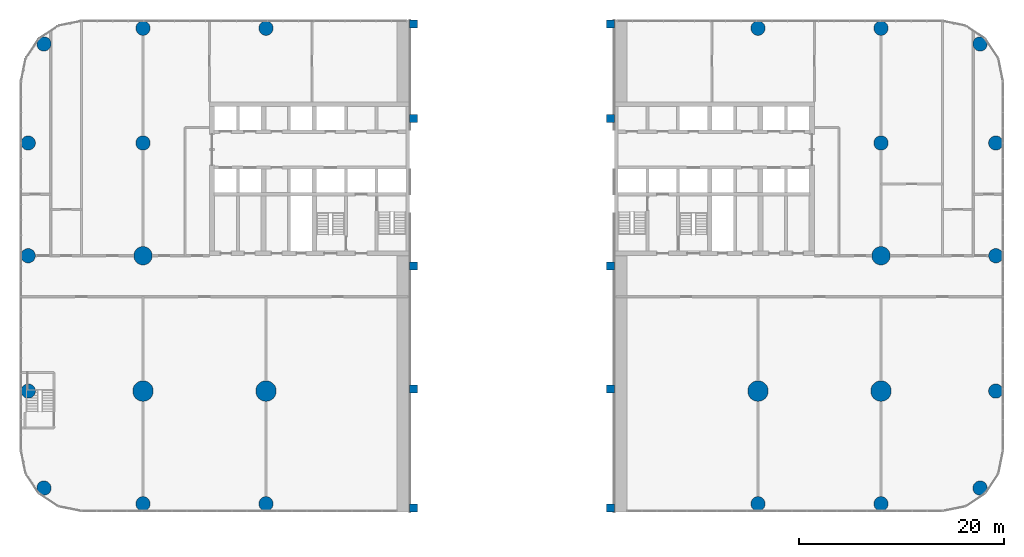
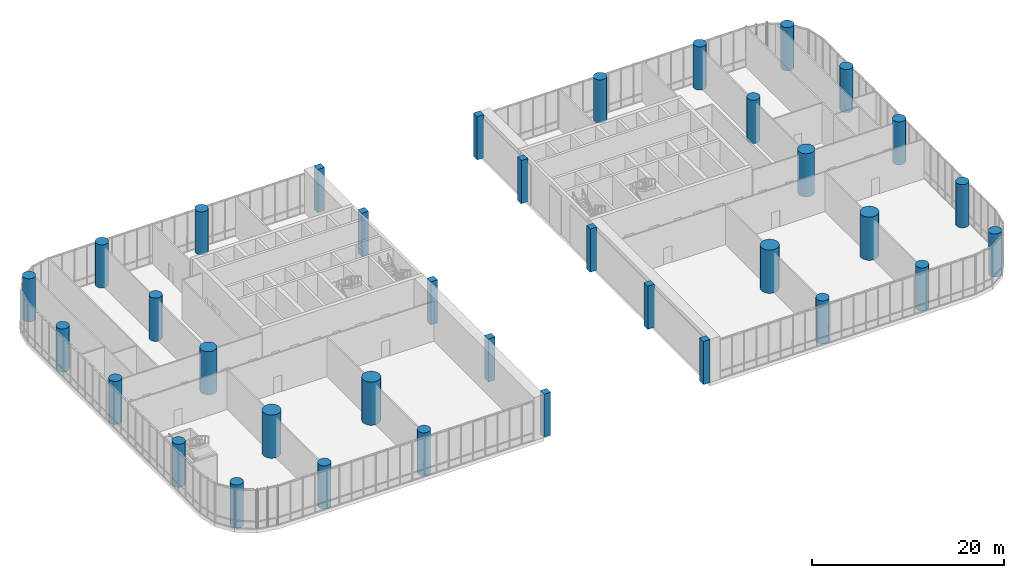
# One storey, part 1 of 28: 36 columns.
"""IFC4 building model written with IfcOpenShell, lengths in metres."""

from ifc_helpers import new_model, si_unit, direction, frame, origin, origin_2d, place, context, subcontext, project, spatial, rectangle, circle, extrude, material, material_profile, profile_set, type_object, element, save


model = new_model("IFC4")

# Units and contexts
model_context = context("Model", 3, precision=1e-05, world=origin(), true_north=direction((0.0, 1.0)))
body_context = subcontext(model_context, "Body", "Model", "MODEL_VIEW")
ifc_project = project(units=[si_unit("LENGTHUNIT", "METRE"), si_unit("AREAUNIT", "SQUARE_METRE"), si_unit("VOLUMEUNIT", "CUBIC_METRE"), si_unit("PLANEANGLEUNIT", "RADIAN"), si_unit("MASSUNIT", "GRAM", prefix="KILO")], contexts=[model_context])

# Site, building, storey
site_placement = place(None, origin())
site = spatial("IfcSite", under=ifc_project, at=site_placement, CompositionType="ELEMENT")
building_placement = place(site_placement, origin())
building = spatial("IfcBuilding", under=site, at=building_placement, Name="Torana Hotel and Residences", CompositionType="ELEMENT")
storey_placement = place(building_placement, frame((0.0, 0.0, 7.0)))
storey = spatial("IfcBuildingStorey", under=building, at=storey_placement, Name="L01", CompositionType="ELEMENT", Elevation=7.0)

# Columns
ifc_material_1 = material(Name="Concrete C60/75", Category="concrete")
ifc_material_profile_1 = material_profile(ifc_material_1, rectangle(XDim=0.800048828125, YDim=0.800048828125, at=origin_2d()), Name="RC 800x800")
ifc_profile_set_1 = profile_set([ifc_material_profile_1], Name="Concrete C60/75")
column_type_1 = type_object("IfcColumnType", Name="ARCH PIER RC 800x800 C60/75", PredefinedType="COLUMN", material=ifc_profile_set_1)
for number, where, z_axis, x_axis, name in (
    (1, (-9.60009765625, -39.60009765625, 0.0), (0.0, 0.0, 1.0), (1.0, 0.0, 0.0), "Arch pier L01"),
    (2, (9.60009765625, -39.60009765625, 0.0), (0.0, 0.0, 1.0), (1.0, 0.0, 0.0), "Arch pier L01"),
    (3, (-9.60009765625, -28.0, 0.0), (0.0, 0.0, 1.0), (1.0, 0.0, 0.0), "Arch pier L01"),
    (4, (9.60009765625, -28.0, 0.0), (0.0, 0.0, 1.0), (1.0, 0.0, 0.0), "Arch pier L01"),
    (5, (-9.60009765625, -16.0, 0.0), (0.0, 0.0, 1.0), (1.0, 0.0, 0.0), "Arch pier L01"),
    (6, (9.60009765625, -16.0, 0.0), (0.0, 0.0, 1.0), (1.0, 0.0, 0.0), "Arch pier L01"),
    (7, (-9.60009765625, -1.60009765625, 0.0), (0.0, 0.0, 1.0), (1.0, 0.0, 0.0), "Arch pier L01"),
    (8, (9.60009765625, -1.60009765625, 0.0), (0.0, 0.0, 1.0), (1.0, 0.0, 0.0), "Arch pier L01"),
    (9, (-9.60009765625, 7.60009765625, 0.0), (0.0, 0.0, 1.0), (1.0, 0.0, 0.0), "Arch pier L01"),
    (10, (9.60009765625, 7.60009765625, 0.0), (0.0, 0.0, 1.0), (1.0, 0.0, 0.0), "Arch pier L01"),
):
    element("IfcColumn", number, at=place(storey_placement, frame(where, z_axis=z_axis, x_axis=x_axis)), inside=storey, type_object=column_type_1, Name=name, PredefinedType="COLUMN", context=body_context, shape_type="SweptSolid", body=[
        extrude(rectangle(XDim=0.800048828125, YDim=0.800048828125, at=origin_2d()), origin(), (0.0, 0.0, 1.0), 5.5),
    ])
ifc_material_2 = material(Name="Concrete C70/85", Category="concrete")
ifc_material_profile_2 = material_profile(ifc_material_2, circle(Radius=0.699951171875, at=origin_2d()), Name="RCD 1400")
ifc_profile_set_2 = profile_set([ifc_material_profile_2], Name="Concrete C70/85")
column_type_2 = type_object("IfcColumnType", Name="COLUMN RCD 1400 C70/85", PredefinedType="COLUMN", material=ifc_profile_set_2)
for number, where, z_axis, x_axis, name in (
    (11, (-47.199951171875, -28.199951171875, 0.0), (0.0, 0.0, 1.0), (1.0, 0.0, 0.0), "Column L01"),
    (12, (-47.199951171875, -15.0, 0.0), (0.0, 0.0, 1.0), (1.0, 0.0, 0.0), "Column L01"),
    (13, (-47.199951171875, -4.0, 0.0), (0.0, 0.0, 1.0), (1.0, 0.0, 0.0), "Column L01"),
    (14, (-45.666015625, -37.666015625, 0.0), (0.0, 0.0, 1.0), (1.0, 0.0, 0.0), "Column L01"),
    (15, (-45.666015625, 5.666015625, 0.0), (0.0, 0.0, 1.0), (1.0, 0.0, 0.0), "Column L01"),
    (16, (-36.0, -39.199951171875, 0.0), (0.0, 0.0, 1.0), (1.0, 0.0, 0.0), "Column L01"),
    (17, (-36.0, -4.0, 0.0), (0.0, 0.0, 1.0), (1.0, 0.0, 0.0), "Column L01"),
    (18, (-36.0, 7.199951171875, 0.0), (0.0, 0.0, 1.0), (1.0, 0.0, 0.0), "Column L01"),
    (19, (-24.0, -39.199951171875, 0.0), (0.0, 0.0, 1.0), (1.0, 0.0, 0.0), "Column L01"),
    (20, (-24.0, 7.199951171875, 0.0), (0.0, 0.0, 1.0), (1.0, 0.0, 0.0), "Column L01"),
    (21, (24.0, -39.199951171875, 0.0), (0.0, 0.0, 1.0), (1.0, 0.0, 0.0), "Column L01"),
    (22, (24.0, 7.199951171875, 0.0), (0.0, 0.0, 1.0), (1.0, 0.0, 0.0), "Column L01"),
    (23, (36.0, -39.199951171875, 0.0), (0.0, 0.0, 1.0), (1.0, 0.0, 0.0), "Column L01"),
    (24, (36.0, -4.0, 0.0), (0.0, 0.0, 1.0), (1.0, 0.0, 0.0), "Column L01"),
    (25, (36.0, 7.199951171875, 0.0), (0.0, 0.0, 1.0), (1.0, 0.0, 0.0), "Column L01"),
    (26, (45.666015625, -37.666015625, 0.0), (0.0, 0.0, 1.0), (1.0, 0.0, 0.0), "Column L01"),
    (27, (45.666015625, 5.666015625, 0.0), (0.0, 0.0, 1.0), (1.0, 0.0, 0.0), "Column L01"),
    (28, (47.199951171875, -28.199951171875, 0.0), (0.0, 0.0, 1.0), (1.0, 0.0, 0.0), "Column L01"),
    (29, (47.199951171875, -15.0, 0.0), (0.0, 0.0, 1.0), (1.0, 0.0, 0.0), "Column L01"),
    (30, (47.199951171875, -4.0, 0.0), (0.0, 0.0, 1.0), (1.0, 0.0, 0.0), "Column L01"),
):
    element("IfcColumn", number, at=place(storey_placement, frame(where, z_axis=z_axis, x_axis=x_axis)), inside=storey, type_object=column_type_2, Name=name, PredefinedType="COLUMN", context=body_context, shape_type="SweptSolid", body=[
        extrude(circle(Radius=0.699951171875, at=origin_2d()), origin(), (0.0, 0.0, 1.0), 5.5),
    ])
ifc_material_3 = material(Name="Concrete C70/85", Category="concrete")
ifc_material_profile_3 = material_profile(ifc_material_3, circle(Radius=0.89990234375, at=origin_2d()), Name="RCD 1800")
ifc_profile_set_3 = profile_set([ifc_material_profile_3], Name="Concrete C70/85")
column_type_3 = type_object("IfcColumnType", Name="COLUMN RCD 1800 C70/85", PredefinedType="COLUMN", material=ifc_profile_set_3)
for number, where, z_axis, x_axis, name in (
    (31, (-36.0, -15.0, 0.0), (0.0, 0.0, 1.0), (1.0, 0.0, 0.0), "Column L01"),
    (32, (36.0, -15.0, 0.0), (0.0, 0.0, 1.0), (1.0, 0.0, 0.0), "Column L01"),
):
    element("IfcColumn", number, at=place(storey_placement, frame(where, z_axis=z_axis, x_axis=x_axis)), inside=storey, type_object=column_type_3, Name=name, PredefinedType="COLUMN", context=body_context, shape_type="SweptSolid", body=[
        extrude(circle(Radius=0.89990234375, at=origin_2d()), origin(), (0.0, 0.0, 1.0), 5.5),
    ])
ifc_material_4 = material(Name="Concrete C70/85", Category="concrete")
ifc_material_profile_4 = material_profile(ifc_material_4, circle(Radius=1.0, at=origin_2d()), Name="RCD 2000")
ifc_profile_set_4 = profile_set([ifc_material_profile_4], Name="Concrete C70/85")
column_type_4 = type_object("IfcColumnType", Name="COLUMN RCD 2000 C70/85", PredefinedType="COLUMN", material=ifc_profile_set_4)
for number, where, z_axis, x_axis, name in (
    (33, (-36.0, -28.199951171875, 0.0), (0.0, 0.0, 1.0), (1.0, 0.0, 0.0), "Column L01"),
    (34, (-24.0, -28.199951171875, 0.0), (0.0, 0.0, 1.0), (1.0, 0.0, 0.0), "Column L01"),
    (35, (24.0, -28.199951171875, 0.0), (0.0, 0.0, 1.0), (1.0, 0.0, 0.0), "Column L01"),
    (36, (36.0, -28.199951171875, 0.0), (0.0, 0.0, 1.0), (1.0, 0.0, 0.0), "Column L01"),
):
    element("IfcColumn", number, at=place(storey_placement, frame(where, z_axis=z_axis, x_axis=x_axis)), inside=storey, type_object=column_type_4, Name=name, PredefinedType="COLUMN", context=body_context, shape_type="SweptSolid", body=[
        extrude(circle(Radius=1.0, at=origin_2d()), origin(), (0.0, 0.0, 1.0), 5.5),
    ])

save(model, "model.ifc")
